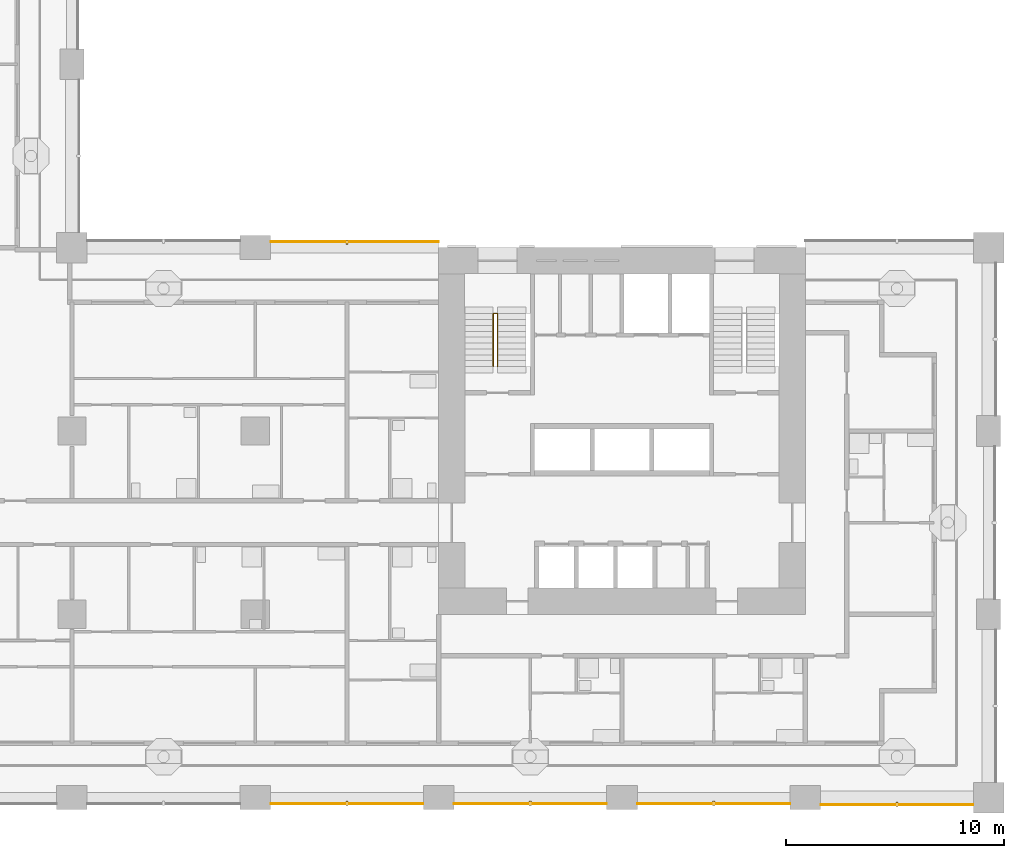
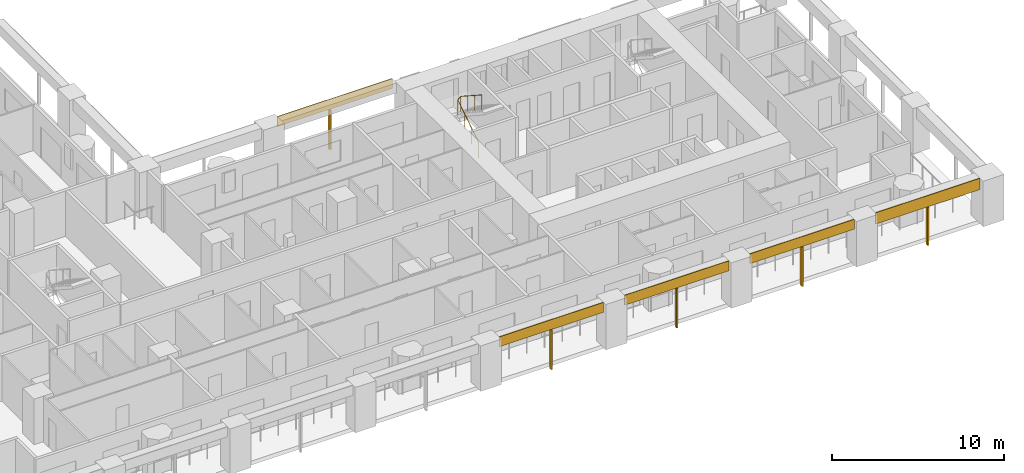
# One storey, part 13 of 22: 10 shading devices, 1 railing.
"""IFC4 building model written with IfcOpenShell, lengths in metres."""

from ifc_helpers import new_model, si_unit, direction, frame, origin, origin_2d, place, context, subcontext, project, spatial, rectangle, circle, extrude, material, layer, layer_set, material_profile, profile_set, type_object, element, save


model = new_model("IFC4")

# Units and contexts
model_context = context("Model", 3, precision=1e-05, world=origin(), true_north=direction((0.0, 1.0)))
body_context = subcontext(model_context, "Body", "Model", "MODEL_VIEW")
ifc_project = project(units=[si_unit("LENGTHUNIT", "METRE"), si_unit("AREAUNIT", "SQUARE_METRE"), si_unit("VOLUMEUNIT", "CUBIC_METRE"), si_unit("PLANEANGLEUNIT", "RADIAN"), si_unit("MASSUNIT", "GRAM", prefix="KILO")], contexts=[model_context])

# Site, building, storey
site_placement = place(None, origin())
site = spatial("IfcSite", under=ifc_project, at=site_placement, CompositionType="ELEMENT")
building_placement = place(site_placement, origin())
building = spatial("IfcBuilding", under=site, at=building_placement, Name="Vermilion Gate Residences", CompositionType="ELEMENT")
storey_placement = place(building_placement, frame((0.0, 0.0, 56.699951171875)))
storey = spatial("IfcBuildingStorey", under=building, at=storey_placement, Name="L13", CompositionType="ELEMENT", Elevation=56.699951171875)

# Shading devices
ifc_material_1 = material(Name="Perforated terracotta", Category="masonry")
ifc_layer = layer(ifc_material_1, 0.0400390625)
ifc_layer_set = layer_set([ifc_layer], Name="PERFORATED TERRACOTTA SCREEN 40")
shading_device_type_1 = type_object("IfcShadingDeviceType", Name="PERFORATED TERRACOTTA SCREEN 40", PredefinedType="SHUTTER", material=ifc_layer_set)
for number, where, z_axis, x_axis, name in (
    (1, (37.800048828125, -0.27001953125, 2.52001953125), (0.0, 0.0, 1.0), (1.0, 0.0, 0.0), "SCREEN"),
    (2, (46.199951171875, -0.27001953125, 2.52001953125), (0.0, 0.0, 1.0), (1.0, 0.0, 0.0), "SCREEN"),
    (3, (54.60009765625, -0.27001953125, 2.52001953125), (0.0, 0.0, 1.0), (1.0, 0.0, 0.0), "SCREEN"),
):
    element("IfcShadingDevice", number, at=place(storey_placement, frame(where, z_axis=z_axis, x_axis=x_axis)), inside=storey, type_object=shading_device_type_1, Name=name, PredefinedType="SHUTTER", context=body_context, shape_type="SweptSolid", body=[
        extrude(rectangle(XDim=7.0, YDim=0.0400390625, at=origin_2d()), origin(), (0.0, 0.0, 1.0), 0.699951171875),
    ])
shading_device_1_placement = place(storey_placement, frame((63.0, -0.320068359375, 2.419921875), z_axis=(0.0, 0.0, 1.0), x_axis=(1.0, 0.0, 0.0)))
element("IfcShadingDevice", 4, at=shading_device_1_placement, inside=storey, type_object=shading_device_type_1, Name="SCREEN", PredefinedType="SHUTTER", context=body_context, shape_type="SweptSolid", body=[
    extrude(rectangle(XDim=7.0, YDim=0.0400390625, at=origin_2d()), origin(), (0.0, 0.0, 1.0), 0.800048828125),
])
shading_device_2_placement = place(storey_placement, frame((38.14990234375, 25.469970703125, 2.52001953125), z_axis=(0.0, 0.0, 1.0), x_axis=(-1.0, 0.0, 0.0)))
element("IfcShadingDevice", 5, at=shading_device_2_placement, inside=storey, type_object=shading_device_type_1, Name="SCREEN", PredefinedType="SHUTTER", context=body_context, shape_type="SweptSolid", body=[
    extrude(rectangle(XDim=7.699951171875, YDim=0.0400390625, at=origin_2d()), origin(), (0.0, 0.0, 1.0), 0.699951171875),
])

# Railing
ifc_material_2 = material(Name="Steel S355", Category="steel")
railing_type = type_object("IfcRailingType", Name="STAIR GUARD 1100 STEEL", PredefinedType="GUARDRAIL", material=ifc_material_2)
railing_placement = place(storey_placement, frame((44.5, 19.75, 0.175048828125)))
element("IfcRailing", 6, at=railing_placement, inside=storey, type_object=railing_type, Name="Stair well guard STA1-13", PredefinedType="GUARDRAIL", context=body_context, shape_type="SweptSolid", body=[
    extrude(circle(Radius=0.02392578125, at=origin_2d()), frame((0.0, 0.0, 1.076171875), z_axis=(0.0, 0.839153699163, 0.543894354798), x_axis=(-1.0, 0.0, 0.0)), (0.0, 0.0, 1.0), 2.895751953125),
    extrude(circle(Radius=0.02392578125, at=origin_2d()), frame((0.0, 2.429931640625, 2.65087890625), z_axis=(0.752405939678, 0.0, 0.658699705433), x_axis=(0.0, 1.0, 0.0)), (0.0, 0.0, 1.0), 0.265869140625),
    extrude(circle(Radius=0.02392578125, at=origin_2d()), frame((0.199951171875, 2.429931640625, 2.826171875), z_axis=(0.0, -0.839153699163, 0.543894354798), x_axis=(1.0, 0.0, 0.0)), (0.0, 0.0, 1.0), 2.895751953125),
    extrude(circle(Radius=0.02099609375, at=origin_2d()), origin(), (0.0, 0.0, 1.0), 1.052001953125),
    extrude(circle(Radius=0.02099609375, at=origin_2d()), frame((0.0, 0.81005859375, 0.52490234375)), (0.0, 0.0, 1.0), 1.052001953125),
    extrude(circle(Radius=0.02099609375, at=origin_2d()), frame((0.0, 1.619873046875, 1.050048828125)), (0.0, 0.0, 1.0), 1.052001953125),
    extrude(circle(Radius=0.02099609375, at=origin_2d()), frame((0.0, 2.429931640625, 1.574951171875)), (0.0, 0.0, 1.0), 1.052001953125),
    extrude(circle(Radius=0.02099609375, at=origin_2d()), frame((0.199951171875, 2.429931640625, 1.75)), (0.0, 0.0, 1.0), 1.052001953125),
    extrude(circle(Radius=0.02099609375, at=origin_2d()), frame((0.199951171875, 1.619873046875, 2.27490234375)), (0.0, 0.0, 1.0), 1.052001953125),
    extrude(circle(Radius=0.02099609375, at=origin_2d()), frame((0.199951171875, 0.81005859375, 2.800048828125)), (0.0, 0.0, 1.0), 1.052001953125),
    extrude(circle(Radius=0.02099609375, at=origin_2d()), frame((0.199951171875, 0.0, 3.324951171875)), (0.0, 0.0, 1.0), 1.052001953125),
])

# Shading devices
ifc_material_3 = material(Name="Extruded terracotta", Category="masonry")
ifc_material_profile = material_profile(ifc_material_3, rectangle(XDim=0.199951171875, YDim=0.10009765625, at=origin_2d()), Name="BAGUETTE 100 X 200")
ifc_profile_set = profile_set([ifc_material_profile], Name="Extruded terracotta")
shading_device_type_2 = type_object("IfcShadingDeviceType", Name="TERRACOTTA BAGUETTE 100 X 200", PredefinedType="JALOUSIE", material=ifc_profile_set)
for number, where, z_axis, x_axis, name in (
    (7, (37.800048828125, -0.25, -0.280029296875), (0.0, 0.0, 1.0), (0.0, 1.0, 0.0), "BAGUETTE"),
    (8, (46.199951171875, -0.25, -0.280029296875), (0.0, 0.0, 1.0), (0.0, 1.0, 0.0), "BAGUETTE"),
    (9, (54.60009765625, -0.25, -0.280029296875), (0.0, 0.0, 1.0), (0.0, 1.0, 0.0), "BAGUETTE"),
):
    element("IfcShadingDevice", number, at=place(storey_placement, frame(where, z_axis=z_axis, x_axis=x_axis)), inside=storey, type_object=shading_device_type_2, Name=name, PredefinedType="JALOUSIE", context=body_context, shape_type="SweptSolid", body=[
        extrude(rectangle(XDim=0.199951171875, YDim=0.10009765625, at=origin_2d()), origin(), (0.0, 0.0, 1.0), 2.800048828125),
    ])
shading_device_3_placement = place(storey_placement, frame((63.0, -0.300048828125, -0.280029296875), z_axis=(0.0, 0.0, 1.0), x_axis=(0.0, 1.0, 0.0)))
element("IfcShadingDevice", 10, at=shading_device_3_placement, inside=storey, type_object=shading_device_type_2, Name="BAGUETTE", PredefinedType="JALOUSIE", context=body_context, shape_type="SweptSolid", body=[
    extrude(rectangle(XDim=0.199951171875, YDim=0.10009765625, at=origin_2d()), origin(), (0.0, 0.0, 1.0), 2.7001953125),
])
shading_device_4_placement = place(storey_placement, frame((37.800048828125, 25.449951171875, -0.280029296875), z_axis=(0.0, 0.0, 1.0), x_axis=(0.0, -1.0, 0.0)))
element("IfcShadingDevice", 11, at=shading_device_4_placement, inside=storey, type_object=shading_device_type_2, Name="BAGUETTE", PredefinedType="JALOUSIE", context=body_context, shape_type="SweptSolid", body=[
    extrude(rectangle(XDim=0.199951171875, YDim=0.10009765625, at=origin_2d()), origin(), (0.0, 0.0, 1.0), 2.800048828125),
])

save(model, "model.ifc")
